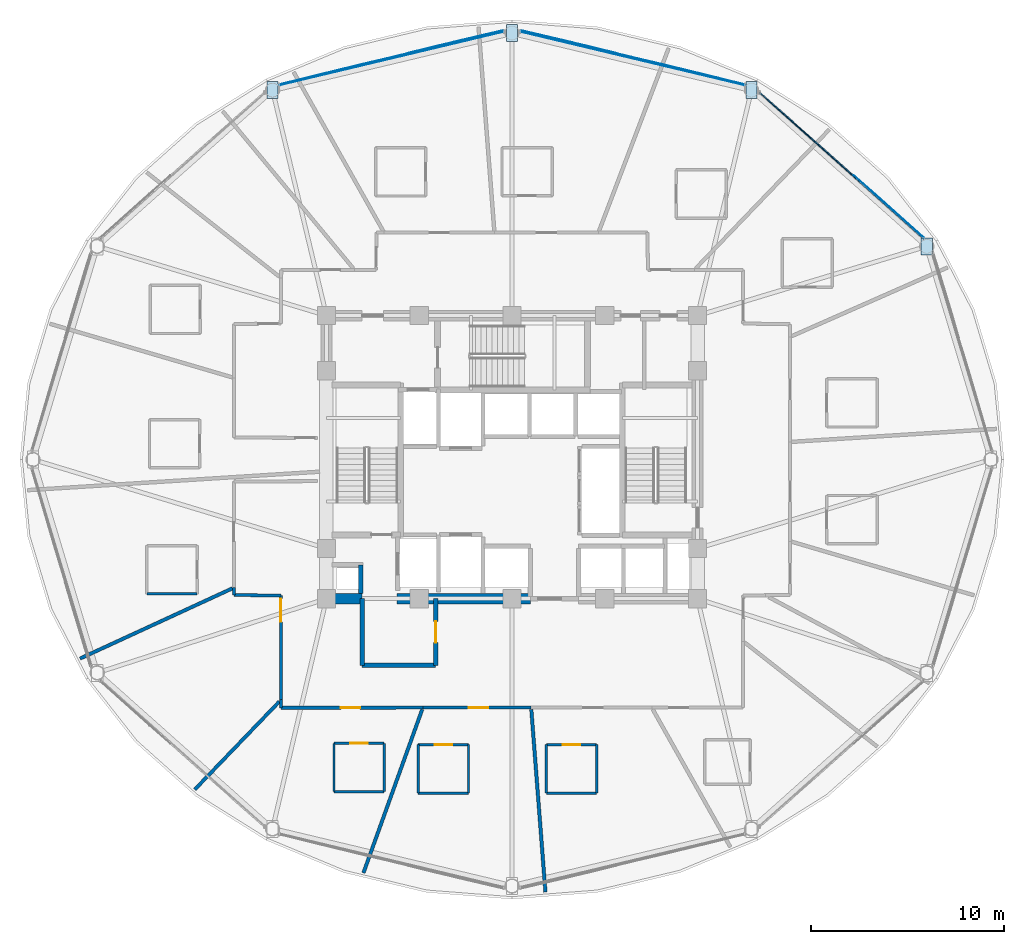
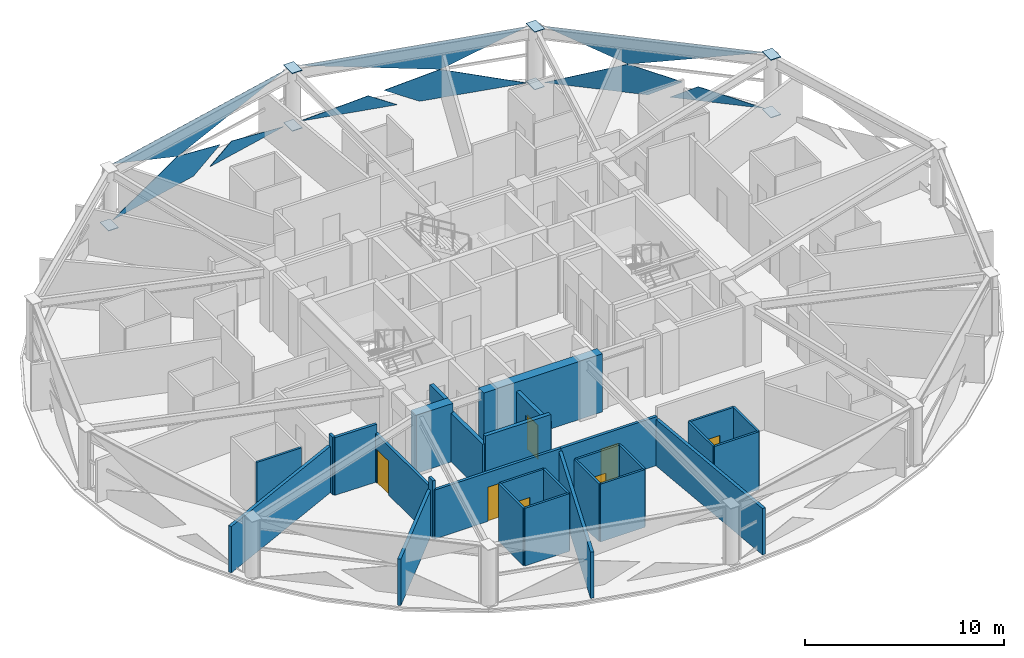
# One storey, part 22 of 30: 29 walls, 16 plates, 7 doors, 7 openings, 3 elements without a shape of their own.
"""IFC4 building model written with IfcOpenShell, lengths in metres."""

from ifc_helpers import new_model, si_unit, direction, frame, frame_2d, origin, place, context, subcontext, project, spatial, polyline, rectangle, outline, extrude, material, layer, layer_set, type_object, element, fill, aggregate, save


model = new_model("IFC4")

# Units and contexts
model_context = context("Model", 3, precision=1e-05, world=origin(), true_north=direction((0.0, 1.0)))
body_context = subcontext(model_context, "Body", "Model", "MODEL_VIEW")
ifc_project = project(units=[si_unit("LENGTHUNIT", "METRE"), si_unit("AREAUNIT", "SQUARE_METRE"), si_unit("VOLUMEUNIT", "CUBIC_METRE"), si_unit("PLANEANGLEUNIT", "RADIAN"), si_unit("MASSUNIT", "GRAM", prefix="KILO")], contexts=[model_context])

# Site, building, storey
site_placement = place(None, origin())
site = spatial("IfcSite", under=ifc_project, at=site_placement, CompositionType="ELEMENT")
building_placement = place(site_placement, origin())
building = spatial("IfcBuilding", under=site, at=building_placement, Name="Vantalir Tower", CompositionType="ELEMENT")
storey_placement = place(building_placement, frame((0.0, 0.0, 153.449951171875)))
storey = spatial("IfcBuildingStorey", under=building, at=storey_placement, Name="L38", CompositionType="ELEMENT", Elevation=153.449951171875)

# Curtain wall, plates
ifc_material_1 = material(Name="Champagne-silver PVDF aluminium and double-silver Low-E glass", Category="aluminium")
ifc_layer_1 = layer(ifc_material_1, 0.199951171875)
ifc_layer_set_1 = layer_set([ifc_layer_1], Name="Champagne-silver PVDF aluminium and double-silver Low-E glass")
curtain_wall_type = type_object("IfcCurtainWallType", Name="CW-DIAMOND-Z2", PredefinedType="USERDEFINED", material=ifc_layer_set_1)
curtain_wall_1_placement = place(storey_placement, origin())
curtain_wall_1 = element("IfcCurtainWall", 1, at=curtain_wall_1_placement, inside=storey, type_object=curtain_wall_type, Name="L38 Quilted Pyramid-Diamond Curtain Wall S02", ObjectType="UNITISED CURTAIN WALL", PredefinedType="USERDEFINED")
ifc_material_2 = material(Name="Double-silver Low-E laminated glass IGU", Category="glass")
ifc_layer_2 = layer(ifc_material_2, 0.028076171875)
ifc_layer_set_2 = layer_set([ifc_layer_2], Name="Double-silver Low-E laminated glass IGU")
plate_type_1 = type_object("IfcPlateType", Name="CWP-IGU-28", PredefinedType="CURTAIN_PANEL", material=ifc_layer_set_2)
plate_1_placement = place(storey_placement, frame((48.309814453125, 40.42333984375, 0.046630859375), z_axis=(-0.665378721823, -0.746377768075, 0.013834155847), x_axis=(-0.746449198267, 0.665442405026, 2.60003e-07)))
plate_1 = element("IfcPlate", 2, at=plate_1_placement, type_object=plate_type_1, Name="CW-L38-S02 Pyramid Diamond Facet 1L", PredefinedType="CURTAIN_PANEL", context=body_context, shape_type="SweptSolid", body=[
    extrude(outline(polyline([(0.0, 0.0), (5.336225207721187, 6.938893903907228e-18), (1.0221279837421158, -1.7267274760418012), (-1.776172662508763, -1.0384313016250337), (0.0, 0.0)])), origin(), (0.0, 0.0, -1.0), 0.028076171875),
])
plate_2_placement = place(storey_placement, frame((52.808837890625, 36.45556640625, 0.0458984375), z_axis=(-0.665369377848, -0.746385860785, 0.013846943454), x_axis=(-0.746456963317, 0.665433692716, 5.0138163e-05)))
plate_2 = element("IfcPlate", 3, at=plate_2_placement, type_object=plate_type_1, Name="CW-L38-S02 Pyramid Diamond Facet 1L Infill Light", PredefinedType="CURTAIN_PANEL", context=body_context, shape_type="SweptSolid", body=[
    extrude(outline(polyline([(0.0, 0.0), (4.8693572484690355, -1.0028870095490916e-18), (3.4276349365821397, -0.843170702233423), (0.0, 0.0)])), origin(), (0.0, 0.0, -1.0), 0.028076171875),
])
plate_3_placement = place(storey_placement, frame((44.32666015625, 43.974365234375, 3.5234375), z_axis=(0.665389037856, 0.74636902142, 0.013809857533), x_axis=(0.746440004295, -0.665452717723, 2.1539172e-05)))
plate_3 = element("IfcPlate", 4, at=plate_3_placement, type_object=plate_type_1, Name="CW-L38-S02 Pyramid Diamond Facet 2U", PredefinedType="CURTAIN_PANEL", context=body_context, shape_type="SweptSolid", body=[
    extrude(outline(polyline([(0.0, 0.0), (11.334726583109456, 4.0115480381963664e-18), (4.314060154104048, 1.7268200923349162), (0.0, 0.0)])), origin(), (0.0, 0.0, -1.0), 0.028076171875),
])
aggregate(curtain_wall_1, [plate_1, plate_2, plate_3])

curtain_wall_2_placement = place(storey_placement, origin())
curtain_wall_2 = element("IfcCurtainWall", 5, at=curtain_wall_2_placement, inside=storey, type_object=curtain_wall_type, Name="L38 Quilted Pyramid-Diamond Curtain Wall S03", ObjectType="UNITISED CURTAIN WALL", PredefinedType="USERDEFINED")
plate_4_placement = place(storey_placement, frame((43.54443359375, 44.382568359375, 0.046630859375), z_axis=(-0.232287094158, -0.972551780071, 0.013628681833), x_axis=(-0.97264211356, 0.232308671662, 1.42105e-07)))
plate_4 = element("IfcPlate", 6, at=plate_4_placement, type_object=plate_type_1, Name="CW-L38-S03 Pyramid Diamond Facet 1L", PredefinedType="CURTAIN_PANEL", context=body_context, shape_type="SweptSolid", body=[
    extrude(outline(polyline([(0.0, 0.0), (5.624342736639577, 0.0), (7.485415204821628, -1.0379371313593602), (4.535822048992081, -1.7269671870365577), (0.0, 0.0)])), origin(), (0.0, 0.0, -1.0), 0.028076171875),
])
plate_5_placement = place(storey_placement, frame((36.944580078125, 45.99169921875, 0.046142578125), z_axis=(-0.232276059095, -0.972552154704, 0.013789080899), x_axis=(-0.972644779023, 0.232297506614, -4.7543493e-05)))
plate_5 = element("IfcPlate", 7, at=plate_5_placement, type_object=plate_type_1, Name="CW-L38-S03 Pyramid Diamond Facet 1L Infill Light", PredefinedType="CURTAIN_PANEL", context=body_context, shape_type="SweptSolid", body=[
    extrude(outline(polyline([(0.0, 0.0), (5.135100721218333, -2.439454888092385e-18), (1.5160648839122943, -0.8453672960876546), (0.0, 0.0)])), origin(), (0.0, 0.0, -1.0), 0.028076171875),
])
plate_6_placement = place(storey_placement, frame((31.9423828125, 47.1533203125, 3.523681640625), z_axis=(0.232262020823, 0.972556350699, 0.013729471903), x_axis=(0.972648091392, -0.232283641034, -2.0467322e-05)))
plate_6 = element("IfcPlate", 8, at=plate_6_placement, type_object=plate_type_1, Name="CW-L38-S03 Pyramid Diamond Facet 2U", PredefinedType="CURTAIN_PANEL", context=body_context, shape_type="SweptSolid", body=[
    extrude(outline(polyline([(0.0, 0.0), (11.928312905690158, -1.8973538018496328e-18), (7.392527054850973, 1.7270622582842574), (0.0, 0.0)])), origin(), (0.0, 0.0, -1.0), 0.028076171875),
])
aggregate(curtain_wall_2, [plate_4, plate_5, plate_6])

curtain_wall_3_placement = place(storey_placement, origin())
curtain_wall_3 = element("IfcCurtainWall", 9, at=curtain_wall_3_placement, inside=storey, type_object=curtain_wall_type, Name="L38 Quilted Pyramid-Diamond Curtain Wall S04", ObjectType="UNITISED CURTAIN WALL", PredefinedType="USERDEFINED")
plate_7_placement = place(storey_placement, frame((24.926513671875, 45.689208984375, 0.046630859375), z_axis=(0.232272304086, -0.972555446982, 0.013619078532), x_axis=(-0.972645653827, -0.232293848587, -4.9204e-08)))
plate_7 = element("IfcPlate", 10, at=plate_7_placement, type_object=plate_type_1, Name="CW-L38-S04 Pyramid Diamond Facet 1L", PredefinedType="CURTAIN_PANEL", context=body_context, shape_type="SweptSolid", body=[
    extrude(outline(polyline([(0.0, 0.0), (5.623811098091786, 0.0), (1.088521206635249, -1.7269668599144798), (-1.861072156862917, -1.0379376910275941), (0.0, 0.0)])), origin(), (0.0, 0.0, -1.0), 0.028076171875),
])
plate_8_placement = place(storey_placement, frame((31.050048828125, 47.1845703125, 0.0458984375), z_axis=(0.232297456447, -0.972546654222, 0.013816551321), x_axis=(-0.972639647214, -0.232318992779, 4.754789e-05)))
plate_8 = element("IfcPlate", 11, at=plate_8_placement, type_object=plate_type_1, Name="CW-L38-S04 Pyramid Diamond Facet 1L Infill Light", PredefinedType="CURTAIN_PANEL", context=body_context, shape_type="SweptSolid", body=[
    extrude(outline(polyline([(0.0, 0.0), (5.13462579826265, 1.2739375526704677e-18), (3.6187981217832648, -0.8453676120739434), (0.0, 0.0)])), origin(), (0.0, 0.0, -1.0), 0.028076171875),
])
plate_9_placement = place(storey_placement, frame((19.45654296875, 44.3828125, 3.5234375), z_axis=(-0.232261374238, 0.97255748335, 0.013660000648), x_axis=(0.972648298282, 0.232282774715, 2.046905e-05)))
plate_9 = element("IfcPlate", 12, at=plate_9_placement, type_object=plate_type_1, Name="CW-L38-S04 Pyramid Diamond Facet 2U", PredefinedType="CURTAIN_PANEL", context=body_context, shape_type="SweptSolid", body=[
    extrude(outline(polyline([(0.0, 0.0), (11.927306344169839, -3.5236570605778894e-18), (4.535254191146374, 1.7270606118178944), (0.0, 0.0)])), origin(), (0.0, 0.0, -1.0), 0.028076171875),
])
aggregate(curtain_wall_3, [plate_7, plate_8, plate_9])

# Plates
ifc_material_3 = material(Name="Steel S460", Category="steel")
ifc_layer_3 = layer(ifc_material_3, 0.035888671875)
ifc_layer_set_3 = layer_set([ifc_layer_3], Name="Steel S460")
plate_type_2 = type_object("IfcPlateType", Name="PLT-KN-Z2", PredefinedType="USERDEFINED", material=ifc_layer_set_3)
for number, where, z_axis, x_axis, name in (
    (13, (52.673095703125, 36.47412109375, 3.59814453125), (0.0, 0.0, 1.0), (0.0, -1.0, 0.0), "L38 Ring Column Top Cap RC02"),
    (14, (52.673095703125, 36.47412109375, 0.052978515625), (0.0, 0.0, 1.0), (0.0, -1.0, 0.0), "L38 Ring Column Base Cap RC02"),
):
    element("IfcPlate", number, at=place(storey_placement, frame(where, z_axis=z_axis, x_axis=x_axis)), inside=storey, type_object=plate_type_2, Name=name, ObjectType="FLANGE_PLATE", PredefinedType="USERDEFINED", context=body_context, shape_type="SweptSolid", body=[
        extrude(outline(polyline([(0.0, 0.0), (0.880126953125, 0.0), (0.880126953125, 0.579833984375), (0.0, 0.579833984375), (0.0, 0.0)])), origin(), (0.0, 0.0, -1.0), 0.035888671875),
    ])
for number, where, z_axis, x_axis, name in (
    (15, (43.60205078125, 44.552001953125, 3.59814453125), (0.0, 0.0, 1.0), (0.0, -1.0, 0.0), "L38 Ring Column Top Cap RC03"),
    (16, (43.60205078125, 44.552001953125, 0.052978515625), (0.0, 0.0, 1.0), (0.0, -1.0, 0.0), "L38 Ring Column Base Cap RC03"),
):
    element("IfcPlate", number, at=place(storey_placement, frame(where, z_axis=z_axis, x_axis=x_axis)), inside=storey, type_object=plate_type_2, Name=name, ObjectType="FLANGE_PLATE", PredefinedType="USERDEFINED", context=body_context, shape_type="SweptSolid", body=[
        extrude(outline(polyline([(0.0, 0.0), (0.8798828125, 0.0), (0.8798828125, 0.579833984375), (0.0, 0.579833984375), (0.0, 0.0)])), origin(), (0.0, 0.0, -1.0), 0.035888671875),
    ])
for number, where, z_axis, x_axis, name in (
    (17, (31.2099609375, 47.509033203125, 3.59814453125), (0.0, 0.0, 1.0), (0.0, -1.0, 0.0), "L38 Ring Column Top Cap RC04"),
    (18, (31.2099609375, 47.509033203125, 0.052978515625), (0.0, 0.0, 1.0), (0.0, -1.0, 0.0), "L38 Ring Column Base Cap RC04"),
):
    element("IfcPlate", number, at=place(storey_placement, frame(where, z_axis=z_axis, x_axis=x_axis)), inside=storey, type_object=plate_type_2, Name=name, ObjectType="FLANGE_PLATE", PredefinedType="USERDEFINED", context=body_context, shape_type="SweptSolid", body=[
        extrude(outline(polyline([(0.0, 0.0), (0.880126953125, 0.0), (0.880126953125, 0.580078125), (0.0, 0.580078125), (0.0, 0.0)])), origin(), (0.0, 0.0, -1.0), 0.035888671875),
    ])
plate_10_placement = place(storey_placement, frame((18.819091796875, 44.552001953125, 0.052978515625), z_axis=(0.0, 0.0, 1.0), x_axis=(0.0, -1.0, 0.0)))
element("IfcPlate", 19, at=plate_10_placement, inside=storey, type_object=plate_type_2, Name="L38 Ring Column Base Cap RC05", ObjectType="FLANGE_PLATE", PredefinedType="USERDEFINED", context=body_context, shape_type="SweptSolid", body=[
    extrude(outline(polyline([(0.0, 0.0), (0.8798828125, 0.0), (0.8798828125, 0.579833984375), (0.0, 0.579833984375), (0.0, 0.0)])), origin(), (0.0, 0.0, -1.0), 0.035888671875),
])

# Walls
ifc_material_4 = material(Name="Moisture-resistant en-suite partition", Category="gypsum")
ifc_layer_4 = layer(ifc_material_4, 0.125)
ifc_layer_set_4 = layer_set([ifc_layer_4], Name="Moisture-resistant en-suite partition")
wall_type_1 = type_object("IfcWallType", Name="WL-BATH-125", PredefinedType="PARTITIONING", material=ifc_layer_set_4)
for number, where, z_axis, x_axis, name in (
    (20, (12.610107421875, 18.050048828125, 0.0), (0.0, 0.0, 1.0), (1.0, 0.0, 0.0), "L38 En-suite 10 South Wall"),
    (21, (22.2880859375, 7.81494140625, 0.0), (0.0, 0.0, 1.0), (1.0, 0.0, 0.0), "L38 En-suite 12 South Wall"),
):
    element("IfcWall", number, at=place(storey_placement, frame(where, z_axis=z_axis, x_axis=x_axis)), inside=storey, type_object=wall_type_1, Name=name, PredefinedType="PARTITIONING", context=body_context, shape_type="SweptSolid", body=[
        extrude(rectangle(XDim=2.599853515625, YDim=0.125, at=frame_2d((1.2998046875, 0.0))), origin(), (0.0, 0.0, 1.0), 3.550048828125),
    ])

# Wall, opening, door
wall_1_placement = place(storey_placement, frame((22.2880859375, 10.31494140625, 0.0), z_axis=(0.0, 0.0, 1.0), x_axis=(1.0, 0.0, 0.0)))
wall_1 = element("IfcWall", 22, at=wall_1_placement, inside=storey, type_object=wall_type_1, Name="L38 En-suite 12 North Wall", PredefinedType="PARTITIONING", context=body_context, shape_type="SweptSolid", body=[
    extrude(rectangle(XDim=2.599853515625, YDim=0.125, at=frame_2d((1.2998046875, 0.0))), origin(), (0.0, 0.0, 1.0), 3.550048828125),
])
opening_1_placement = place(wall_1_placement, frame((0.85009765625, 0.0, 0.0)))
opening_1 = element("IfcOpeningElement", 23, at=opening_1_placement, cuts=wall_1, Name="Opening D-WC", PredefinedType="OPENING", context=body_context, shape_type="SweptSolid", body=[
    extrude(rectangle(XDim=0.89990234375, YDim=2.10009765625, at=frame_2d((0.449951171875, 1.050048828125))), frame((0.0, 0.072509765625, 0.0), z_axis=(0.0, -1.0, 0.0), x_axis=(1.0, 0.0, 0.0)), (0.0, 0.0, 1.0), 0.14501953125),
])
ifc_material_5 = material(Name="Moisture-resistant hardwood door", Category="wood")
door_type_1 = type_object("IfcDoorType", Name="DR-ENSUITE-900", OperationType="NOTDEFINED", PredefinedType="DOOR", material=ifc_material_5)
door_1_placement = place(opening_1_placement, frame((0.89990234375, 0.0, 0.0), z_axis=(0.0, 0.0, 1.0), x_axis=(-1.0, 0.0, 0.0)))
door_1 = element("IfcDoor", 24, at=door_1_placement, inside=storey, type_object=door_type_1, Name="L38 En-suite 12 Door", OperationType="SINGLE_SWING_LEFT", OverallHeight=2.10009765625, OverallWidth=0.89990234375, PredefinedType="DOOR", context=body_context, shape_type="SweptSolid", body=[
    extrude(rectangle(XDim=0.89990234375, YDim=2.10009765625, at=frame_2d((0.449951171875, 1.050048828125))), frame((0.0, 0.02490234375, 0.0), z_axis=(0.0, -1.0, 0.0), x_axis=(1.0, 0.0, 0.0)), (0.0, 0.0, 1.0), 0.050048828125),
])
fill(opening_1, door_1)

# Walls
for number, where, z_axis, x_axis, name in (
    (25, (22.2880859375, 7.81494140625, 0.0), (0.0, 0.0, 1.0), (0.0, 1.0, 0.0), "L38 En-suite 12 West Wall"),
    (26, (24.887939453125, 7.81494140625, 0.0), (0.0, 0.0, 1.0), (0.0, 1.0, 0.0), "L38 En-suite 12 East Wall"),
):
    element("IfcWall", number, at=place(storey_placement, frame(where, z_axis=z_axis, x_axis=x_axis)), inside=storey, type_object=wall_type_1, Name=name, PredefinedType="PARTITIONING", context=body_context, shape_type="SweptSolid", body=[
        extrude(rectangle(XDim=2.5, YDim=0.125, at=frame_2d((1.25, 0.0))), origin(), (0.0, 0.0, 1.0), 3.550048828125),
    ])
wall_2_placement = place(storey_placement, frame((26.64697265625, 7.742919921875, 0.0), z_axis=(0.0, 0.0, 1.0), x_axis=(1.0, 0.0, 0.0)))
element("IfcWall", 27, at=wall_2_placement, inside=storey, type_object=wall_type_1, Name="L38 En-suite 13 South Wall", PredefinedType="PARTITIONING", context=body_context, shape_type="SweptSolid", body=[
    extrude(rectangle(XDim=2.60009765625, YDim=0.125, at=frame_2d((1.300048828125, 0.0))), origin(), (0.0, 0.0, 1.0), 3.550048828125),
])

# Wall, opening, door
wall_3_placement = place(storey_placement, frame((26.64697265625, 10.242919921875, 0.0), z_axis=(0.0, 0.0, 1.0), x_axis=(1.0, 0.0, 0.0)))
wall_3 = element("IfcWall", 28, at=wall_3_placement, inside=storey, type_object=wall_type_1, Name="L38 En-suite 13 North Wall", PredefinedType="PARTITIONING", context=body_context, shape_type="SweptSolid", body=[
    extrude(rectangle(XDim=2.60009765625, YDim=0.125, at=frame_2d((1.300048828125, 0.0))), origin(), (0.0, 0.0, 1.0), 3.550048828125),
])
opening_2_placement = place(wall_3_placement, frame((0.85009765625, 0.0, 0.0)))
opening_2 = element("IfcOpeningElement", 29, at=opening_2_placement, cuts=wall_3, Name="Opening D-WC", PredefinedType="OPENING", context=body_context, shape_type="SweptSolid", body=[
    extrude(rectangle(XDim=0.89990234375, YDim=2.10009765625, at=frame_2d((0.449951171875, 1.050048828125))), frame((0.0, 0.072509765625, 0.0), z_axis=(0.0, -1.0, 0.0), x_axis=(1.0, 0.0, 0.0)), (0.0, 0.0, 1.0), 0.14501953125),
])
door_2_placement = place(opening_2_placement, frame((0.89990234375, 0.0, 0.0), z_axis=(0.0, 0.0, 1.0), x_axis=(-1.0, 0.0, 0.0)))
door_2 = element("IfcDoor", 30, at=door_2_placement, inside=storey, type_object=door_type_1, Name="L38 En-suite 13 Door", OperationType="SINGLE_SWING_RIGHT", OverallHeight=2.10009765625, OverallWidth=0.89990234375, PredefinedType="DOOR", context=body_context, shape_type="SweptSolid", body=[
    extrude(rectangle(XDim=0.89990234375, YDim=2.10009765625, at=frame_2d((0.449951171875, 1.050048828125))), frame((0.0, 0.02490234375, 0.0), z_axis=(0.0, -1.0, 0.0), x_axis=(1.0, 0.0, 0.0)), (0.0, 0.0, 1.0), 0.050048828125),
])
fill(opening_2, door_2)

# Walls
for number, where, z_axis, x_axis, name in (
    (31, (26.64697265625, 7.742919921875, 0.0), (0.0, 0.0, 1.0), (0.0, 1.0, 0.0), "L38 En-suite 13 West Wall"),
    (32, (29.2470703125, 7.742919921875, 0.0), (0.0, 0.0, 1.0), (0.0, 1.0, 0.0), "L38 En-suite 13 East Wall"),
):
    element("IfcWall", number, at=place(storey_placement, frame(where, z_axis=z_axis, x_axis=x_axis)), inside=storey, type_object=wall_type_1, Name=name, PredefinedType="PARTITIONING", context=body_context, shape_type="SweptSolid", body=[
        extrude(rectangle(XDim=2.5, YDim=0.125, at=frame_2d((1.25, 0.0))), origin(), (0.0, 0.0, 1.0), 3.550048828125),
    ])
wall_4_placement = place(storey_placement, frame((33.277099609375, 7.742919921875, 0.0), z_axis=(0.0, 0.0, 1.0), x_axis=(1.0, 0.0, 0.0)))
element("IfcWall", 33, at=wall_4_placement, inside=storey, type_object=wall_type_1, Name="L38 En-suite 14 South Wall", PredefinedType="PARTITIONING", context=body_context, shape_type="SweptSolid", body=[
    extrude(rectangle(XDim=2.599853515625, YDim=0.125, at=frame_2d((1.2998046875, 0.0))), origin(), (0.0, 0.0, 1.0), 3.550048828125),
])

# Wall, opening, door
wall_5_placement = place(storey_placement, frame((33.277099609375, 10.242919921875, 0.0), z_axis=(0.0, 0.0, 1.0), x_axis=(1.0, 0.0, 0.0)))
wall_5 = element("IfcWall", 34, at=wall_5_placement, inside=storey, type_object=wall_type_1, Name="L38 En-suite 14 North Wall", PredefinedType="PARTITIONING", context=body_context, shape_type="SweptSolid", body=[
    extrude(rectangle(XDim=2.599853515625, YDim=0.125, at=frame_2d((1.2998046875, 0.0))), origin(), (0.0, 0.0, 1.0), 3.550048828125),
])
opening_3_placement = place(wall_5_placement, frame((0.85009765625, 0.0, 0.0)))
opening_3 = element("IfcOpeningElement", 35, at=opening_3_placement, cuts=wall_5, Name="Opening D-WC", PredefinedType="OPENING", context=body_context, shape_type="SweptSolid", body=[
    extrude(rectangle(XDim=0.89990234375, YDim=2.10009765625, at=frame_2d((0.449951171875, 1.050048828125))), frame((0.0, 0.072509765625, 0.0), z_axis=(0.0, -1.0, 0.0), x_axis=(1.0, 0.0, 0.0)), (0.0, 0.0, 1.0), 0.14501953125),
])
door_3_placement = place(opening_3_placement, frame((0.89990234375, 0.0, 0.0), z_axis=(0.0, 0.0, 1.0), x_axis=(-1.0, 0.0, 0.0)))
door_3 = element("IfcDoor", 36, at=door_3_placement, inside=storey, type_object=door_type_1, Name="L38 En-suite 14 Door", OperationType="SINGLE_SWING_LEFT", OverallHeight=2.10009765625, OverallWidth=0.89990234375, PredefinedType="DOOR", context=body_context, shape_type="SweptSolid", body=[
    extrude(rectangle(XDim=0.89990234375, YDim=2.10009765625, at=frame_2d((0.449951171875, 1.050048828125))), frame((0.0, 0.02490234375, 0.0), z_axis=(0.0, -1.0, 0.0), x_axis=(1.0, 0.0, 0.0)), (0.0, 0.0, 1.0), 0.050048828125),
])
fill(opening_3, door_3)

# Walls
for number, where, z_axis, x_axis, name in (
    (37, (33.277099609375, 7.742919921875, 0.0), (0.0, 0.0, 1.0), (0.0, 1.0, 0.0), "L38 En-suite 14 West Wall"),
    (38, (35.876953125, 7.742919921875, 0.0), (0.0, 0.0, 1.0), (0.0, 1.0, 0.0), "L38 En-suite 14 East Wall"),
):
    element("IfcWall", number, at=place(storey_placement, frame(where, z_axis=z_axis, x_axis=x_axis)), inside=storey, type_object=wall_type_1, Name=name, PredefinedType="PARTITIONING", context=body_context, shape_type="SweptSolid", body=[
        extrude(rectangle(XDim=2.5, YDim=0.125, at=frame_2d((1.25, 0.0))), origin(), (0.0, 0.0, 1.0), 3.550048828125),
    ])
ifc_material_6 = material(Name="Concrete C60/75", Category="concrete")
ifc_layer_5 = layer(ifc_material_6, 0.550048828125)
ifc_layer_set_5 = layer_set([ifc_layer_5], Name="Concrete C60/75")
wall_type_2 = type_object("IfcWallType", Name="WL-CORE-550", PredefinedType="SHEAR", material=ifc_layer_set_5)
wall_6_placement = place(storey_placement, frame((21.625, 17.800048828125, 0.0), z_axis=(0.0, 0.0, 1.0), x_axis=(1.0, 0.0, 0.0)))
element("IfcWall", 39, at=wall_6_placement, inside=storey, type_object=wall_type_2, Name="L38 Core Shear Wall South-West", PredefinedType="SHEAR", context=body_context, shape_type="SweptSolid", body=[
    extrude(rectangle(XDim=2.125, YDim=0.550048828125, at=frame_2d((1.0625, 0.0))), origin(), (0.0, 0.0, 1.0), 3.570068359375),
])
wall_7_placement = place(storey_placement, frame((25.550048828125, 17.800048828125, 0.0), z_axis=(0.0, 0.0, 1.0), x_axis=(1.0, 0.0, 0.0)))
element("IfcWall", 40, at=wall_7_placement, inside=storey, type_object=wall_type_2, Name="L38 Core Shear Wall South-Mid", PredefinedType="SHEAR", context=body_context, shape_type="SweptSolid", body=[
    extrude(rectangle(XDim=6.89990234375, YDim=0.550048828125, at=frame_2d((3.449951171875, 0.0))), origin(), (0.0, 0.0, 1.0), 3.570068359375),
])

# Wall, opening, door
ifc_material_7 = material(Name="Fire-rated hotel corridor acoustic partition", Category="gypsum")
ifc_layer_6 = layer(ifc_material_7, 0.159912109375)
ifc_layer_set_6 = layer_set([ifc_layer_6], Name="Fire-rated hotel corridor acoustic partition")
wall_type_3 = type_object("IfcWallType", Name="WL-CORR-160", PredefinedType="PARTITIONING", material=ifc_layer_set_6)
wall_8_placement = place(storey_placement, frame((32.492919921875, 12.1630859375, 0.0), z_axis=(0.0, 0.0, 1.0), x_axis=(-0.999999839791, -0.000566054076, 0.0)))
wall_8 = element("IfcWall", 41, at=wall_8_placement, inside=storey, type_object=wall_type_3, Name="L38 Corridor Partition 29", PredefinedType="PARTITIONING", context=body_context, shape_type="SweptSolid", body=[
    extrude(rectangle(XDim=5.60693359375, YDim=0.159912109375, at=frame_2d((2.803466796875, 0.0))), origin(), (0.0, 0.0, 1.0), 3.006103515625),
])
opening_4_placement = place(wall_8_placement, frame((2.22998046875, 0.0, 0.0)))
opening_4 = element("IfcOpeningElement", 42, at=opening_4_placement, cuts=wall_8, Name="Opening D-GUEST", PredefinedType="OPENING", context=body_context, shape_type="SweptSolid", body=[
    extrude(rectangle(XDim=1.0, YDim=2.10009765625, at=frame_2d((0.5, 1.050048828125))), frame((0.0, 0.08984375, 0.0), z_axis=(0.0, -1.0, 0.0), x_axis=(1.0, 0.0, 0.0)), (0.0, 0.0, 1.0), 0.179931640625),
])
ifc_material_8 = material(Name="Solid-core teak veneer acoustic fire door", Category="wood")
door_type_2 = type_object("IfcDoorType", Name="DR-GUEST-ENTRY-1000", OperationType="NOTDEFINED", PredefinedType="DOOR", material=ifc_material_8)
door_4_placement = place(opening_4_placement, origin())
door_4 = element("IfcDoor", 43, at=door_4_placement, inside=storey, type_object=door_type_2, Name="L38 Deluxe King Hotel Room 13 Door", OperationType="SINGLE_SWING_RIGHT", OverallHeight=2.10009765625, OverallWidth=1.0, PredefinedType="DOOR", context=body_context, shape_type="SweptSolid", body=[
    extrude(rectangle(XDim=1.0, YDim=2.10009765625, at=frame_2d((0.5, 1.050048828125))), frame((0.0, 0.02490234375, 0.0), z_axis=(0.0, -1.0, 0.0), x_axis=(1.0, 0.0, 0.0)), (0.0, 0.0, 1.0), 0.050048828125),
])
fill(opening_4, door_4)

wall_9_placement = place(storey_placement, frame((26.885986328125, 12.159912109375, 0.0), z_axis=(0.0, 0.0, 1.0), x_axis=(-0.999999920192, -0.000399520543, 0.0)))
wall_9 = element("IfcWall", 44, at=wall_9_placement, inside=storey, type_object=wall_type_3, Name="L38 Corridor Partition 30", PredefinedType="PARTITIONING", context=body_context, shape_type="SweptSolid", body=[
    extrude(rectangle(XDim=7.3330078125, YDim=0.159912109375, at=frame_2d((3.66650390625, 0.0))), origin(), (0.0, 0.0, 1.0), 3.006103515625),
])
opening_5_placement = place(wall_9_placement, frame((3.239990234375, 0.0, 0.0)))
opening_5 = element("IfcOpeningElement", 45, at=opening_5_placement, cuts=wall_9, Name="Opening D-GUEST", PredefinedType="OPENING", context=body_context, shape_type="SweptSolid", body=[
    extrude(rectangle(XDim=1.0, YDim=2.10009765625, at=frame_2d((0.5, 1.050048828125))), frame((0.0, 0.08984375, 0.0), z_axis=(0.0, -1.0, 0.0), x_axis=(1.0, 0.0, 0.0)), (0.0, 0.0, 1.0), 0.179931640625),
])
door_5_placement = place(opening_5_placement, origin())
door_5 = element("IfcDoor", 46, at=door_5_placement, inside=storey, type_object=door_type_2, Name="L38 Twin Queen Hotel Room 12 Door", OperationType="SINGLE_SWING_LEFT", OverallHeight=2.10009765625, OverallWidth=1.0, PredefinedType="DOOR", context=body_context, shape_type="SweptSolid", body=[
    extrude(rectangle(XDim=1.0, YDim=2.10009765625, at=frame_2d((0.5, 1.050048828125))), frame((0.0, 0.02490234375, 0.0), z_axis=(0.0, -1.0, 0.0), x_axis=(1.0, 0.0, 0.0)), (0.0, 0.0, 1.0), 0.050048828125),
])
fill(opening_5, door_5)

# Wall
wall_10_placement = place(storey_placement, frame((19.552978515625, 12.156982421875, 0.0), z_axis=(0.0, 0.0, 1.0), x_axis=(-0.002358484007, 0.999997218773, 0.0)))
element("IfcWall", 47, at=wall_10_placement, inside=storey, type_object=wall_type_3, Name="L38 Corridor Partition 31", PredefinedType="PARTITIONING", context=body_context, shape_type="SweptSolid", body=[
    extrude(rectangle(XDim=0.4140625, YDim=0.159912109375, at=frame_2d((0.20703125, 0.0))), origin(), (0.0, 0.0, 1.0), 3.550048828125),
])

# Wall, opening, door
wall_11_placement = place(storey_placement, frame((19.552001953125, 12.571044921875, 0.0), z_axis=(0.0, 0.0, 1.0), x_axis=(-0.003171279301, 0.999994971481, 0.0)))
wall_11 = element("IfcWall", 48, at=wall_11_placement, inside=storey, type_object=wall_type_3, Name="L38 Corridor Partition 32", PredefinedType="PARTITIONING", context=body_context, shape_type="SweptSolid", body=[
    extrude(rectangle(XDim=5.388916015625, YDim=0.159912109375, at=frame_2d((2.6943359375, 0.0))), origin(), (0.0, 0.0, 1.0), 3.006103515625),
])
opening_6_placement = place(wall_11_placement, frame((4.029052734375, 0.0, 0.0)))
opening_6 = element("IfcOpeningElement", 49, at=opening_6_placement, cuts=wall_11, Name="Opening D-STE", PredefinedType="OPENING", context=body_context, shape_type="SweptSolid", body=[
    extrude(rectangle(XDim=1.199951171875, YDim=2.10009765625, at=frame_2d((0.60009765625, 1.050048828125))), frame((0.0, 0.08984375, 0.0), z_axis=(0.0, -1.0, 0.0), x_axis=(1.0, 0.0, 0.0)), (0.0, 0.0, 1.0), 0.179931640625),
])
ifc_material_9 = material(Name="Solid-core teak veneer suite entrance door", Category="wood")
door_type_3 = type_object("IfcDoorType", Name="DR-SUITE-ENTRY-1200", OperationType="NOTDEFINED", PredefinedType="DOOR", material=ifc_material_9)
door_6_placement = place(opening_6_placement, origin())
door_6 = element("IfcDoor", 50, at=door_6_placement, inside=storey, type_object=door_type_3, Name="L38 Club Reading Lounge 11 Door", OperationType="SINGLE_SWING_RIGHT", OverallHeight=2.10009765625, OverallWidth=1.199951171875, PredefinedType="DOOR", context=body_context, shape_type="SweptSolid", body=[
    extrude(rectangle(XDim=1.199951171875, YDim=2.10009765625, at=frame_2d((0.60009765625, 1.050048828125))), frame((0.0, 0.02490234375, 0.0), z_axis=(0.0, -1.0, 0.0), x_axis=(1.0, 0.0, 0.0)), (0.0, 0.0, 1.0), 0.050048828125),
])
fill(opening_6, door_6)

# Walls
wall_12_placement = place(storey_placement, frame((19.534912109375, 17.9599609375, 0.0), z_axis=(0.0, 0.0, 1.0), x_axis=(-0.999913324318, 0.013166011206, 0.0)))
element("IfcWall", 51, at=wall_12_placement, inside=storey, type_object=wall_type_3, Name="L38 Corridor Partition 33", PredefinedType="PARTITIONING", context=body_context, shape_type="SweptSolid", body=[
    extrude(rectangle(XDim=2.42919921875, YDim=0.159912109375, at=frame_2d((1.214599609375, 0.0))), origin(), (0.0, 0.0, 1.0), 3.550048828125),
])
wall_13_placement = place(storey_placement, frame((17.10595703125, 17.991943359375, 0.0), z_axis=(0.0, 0.0, 1.0), x_axis=(0.0, 1.0, 0.0)))
element("IfcWall", 52, at=wall_13_placement, inside=storey, type_object=wall_type_3, Name="L38 Corridor Partition 34", PredefinedType="PARTITIONING", context=body_context, shape_type="SweptSolid", body=[
    extrude(rectangle(XDim=0.3759765625, YDim=0.159912109375, at=frame_2d((0.18798828125, 0.0))), origin(), (0.0, 0.0, 1.0), 3.550048828125),
])
ifc_material_10 = material(Name="Concrete blockwork with fireboard lining", Category="masonry")
ifc_layer_7 = layer(ifc_material_10, 0.219970703125)
ifc_layer_set_7 = layer_set([ifc_layer_7], Name="Concrete blockwork with fireboard lining")
wall_type_4 = type_object("IfcWallType", Name="WL-FFL-220", PredefinedType="PARTITIONING", material=ifc_layer_set_7)
wall_14_placement = place(storey_placement, frame((23.679931640625, 18.074951171875, 0.0), z_axis=(0.0, 0.0, 1.0), x_axis=(0.0, 1.0, 0.0)))
element("IfcWall", 53, at=wall_14_placement, inside=storey, type_object=wall_type_4, Name="L38 West MEP Riser Wall E", PredefinedType="PARTITIONING", context=body_context, shape_type="SweptSolid", body=[
    extrude(rectangle(XDim=1.47509765625, YDim=0.219970703125, at=frame_2d((0.737548828125, 0.0))), origin(), (0.0, 0.0, 1.0), 3.550048828125),
])
wall_15_placement = place(storey_placement, frame((23.75, 14.35009765625, 0.0), z_axis=(0.0, 0.0, 1.0), x_axis=(0.0, 1.0, 0.0)))
element("IfcWall", 54, at=wall_15_placement, inside=storey, type_object=wall_type_4, Name="L38 Firefighting Lobby West Outer W", PredefinedType="PARTITIONING", context=body_context, shape_type="SweptSolid", body=[
    extrude(rectangle(XDim=3.449951171875, YDim=0.219970703125, at=frame_2d((1.72509765625, 0.0))), origin(), (0.0, 0.0, 1.0), 3.006103515625),
])
wall_16_placement = place(storey_placement, frame((23.75, 14.35009765625, 0.0), z_axis=(0.0, 0.0, 1.0), x_axis=(1.0, 0.0, 0.0)))
element("IfcWall", 55, at=wall_16_placement, inside=storey, type_object=wall_type_4, Name="L38 Firefighting Lobby West South Wall", PredefinedType="PARTITIONING", context=body_context, shape_type="SweptSolid", body=[
    extrude(rectangle(XDim=3.800048828125, YDim=0.219970703125, at=frame_2d((1.89990234375, 0.0))), origin(), (0.0, 0.0, 1.0), 3.550048828125),
])

# Wall, opening, door
wall_17_placement = place(storey_placement, frame((27.550048828125, 14.35009765625, 0.0), z_axis=(0.0, 0.0, 1.0), x_axis=(0.0, 1.0, 0.0)))
wall_17 = element("IfcWall", 56, at=wall_17_placement, inside=storey, type_object=wall_type_4, Name="L38 Firefighting Lobby West East Wall", PredefinedType="PARTITIONING", context=body_context, shape_type="SweptSolid", body=[
    extrude(rectangle(XDim=3.449951171875, YDim=0.219970703125, at=frame_2d((1.72509765625, 0.0))), origin(), (0.0, 0.0, 1.0), 3.006103515625),
])
opening_7_placement = place(wall_17_placement, frame((1.175048828125, 0.0, 0.0)))
opening_7 = element("IfcOpeningElement", 57, at=opening_7_placement, cuts=wall_17, Name="Opening D-FFL", PredefinedType="OPENING", context=body_context, shape_type="SweptSolid", body=[
    extrude(rectangle(XDim=1.10009765625, YDim=2.10009765625, at=frame_2d((0.550048828125, 1.050048828125))), frame((0.0, 0.119873046875, 0.0), z_axis=(0.0, -1.0, 0.0), x_axis=(1.0, 0.0, 0.0)), (0.0, 0.0, 1.0), 0.239990234375),
])
ifc_material_11 = material(Name="Fire-rated acoustic steel door", Category="steel")
door_type_4 = type_object("IfcDoorType", Name="DR-FIRE-LOBBY-1100", OperationType="NOTDEFINED", PredefinedType="DOOR", material=ifc_material_11)
door_7_placement = place(opening_7_placement, origin())
door_7 = element("IfcDoor", 58, at=door_7_placement, inside=storey, type_object=door_type_4, Name="L38 Firefighting Lobby West Access Door", OperationType="SINGLE_SWING_LEFT", OverallHeight=2.10009765625, OverallWidth=1.10009765625, PredefinedType="DOOR", context=body_context, shape_type="SweptSolid", body=[
    extrude(rectangle(XDim=1.10009765625, YDim=2.10009765625, at=frame_2d((0.550048828125, 1.050048828125))), frame((0.0, 0.02490234375, 0.0), z_axis=(0.0, -1.0, 0.0), x_axis=(1.0, 0.0, 0.0)), (0.0, 0.0, 1.0), 0.050048828125),
])
fill(opening_7, door_7)

# Walls
ifc_material_12 = material(Name="Twin-stud acoustic fire-rated gypsum partition", Category="gypsum")
ifc_layer_8 = layer(ifc_material_12, 0.179931640625)
ifc_layer_set_8 = layer_set([ifc_layer_8], Name="Twin-stud acoustic fire-rated gypsum partition")
wall_type_5 = type_object("IfcWallType", Name="WL-GUEST-180", PredefinedType="PARTITIONING", material=ifc_layer_set_8)
wall_18_placement = place(storey_placement, frame((17.030029296875, 18.3330078125, 0.0), z_axis=(0.0, 0.0, 1.0), x_axis=(-0.908253037205, -0.418421343155, 0.0)))
element("IfcWall", 59, at=wall_18_placement, inside=storey, type_object=wall_type_5, Name="L38 Radial Suite Partition 11", PredefinedType="PARTITIONING", context=body_context, shape_type="SweptSolid", body=[
    extrude(rectangle(XDim=8.680419921875, YDim=0.179931640625, at=frame_2d((4.34033203125, 0.0))), origin(), (0.0, 0.0, 1.0), 2.85205078125),
])
wall_19_placement = place(storey_placement, frame((19.4599609375, 12.47607421875, 0.0), z_axis=(0.0, 0.0, 1.0), x_axis=(-0.69310794346, -0.72083380797, 0.0)))
element("IfcWall", 60, at=wall_19_placement, inside=storey, type_object=wall_type_5, Name="L38 Radial Suite Partition 12", PredefinedType="PARTITIONING", context=body_context, shape_type="SweptSolid", body=[
    extrude(rectangle(XDim=6.3134765625, YDim=0.179931640625, at=frame_2d((3.15673828125, 0.0))), origin(), (0.0, 0.0, 1.0), 2.85205078125),
])
wall_20_placement = place(storey_placement, frame((26.85595703125, 12.074951171875, 0.0), z_axis=(0.0, 0.0, 1.0), x_axis=(-0.338234798657, -0.941061751947, 0.0)))
element("IfcWall", 61, at=wall_20_placement, inside=storey, type_object=wall_type_5, Name="L38 Radial Suite Partition 13", PredefinedType="PARTITIONING", context=body_context, shape_type="SweptSolid", body=[
    extrude(rectangle(XDim=8.99072265625, YDim=0.179931640625, at=frame_2d((4.495361328125, 0.0))), origin(), (0.0, 0.0, 1.0), 2.85205078125),
])
wall_21_placement = place(storey_placement, frame((32.4990234375, 12.074951171875, 0.0), z_axis=(0.0, 0.0, 1.0), x_axis=(0.077157016632, -0.997018954075, 0.0)))
element("IfcWall", 62, at=wall_21_placement, inside=storey, type_object=wall_type_5, Name="L38 Radial Suite Partition 14", PredefinedType="PARTITIONING", context=body_context, shape_type="SweptSolid", body=[
    extrude(rectangle(XDim=9.486328125, YDim=0.179931640625, at=frame_2d((4.7431640625, 0.0))), origin(), (0.0, 0.0, 1.0), 2.85205078125),
])

save(model, "model.ifc")
